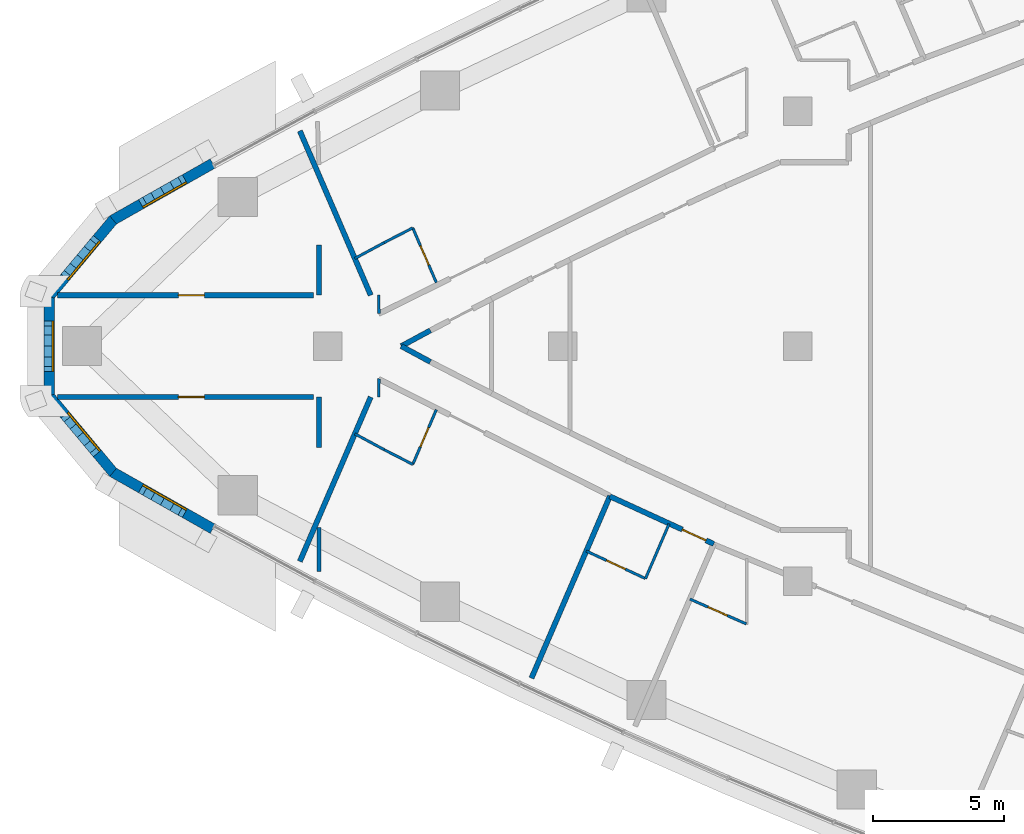
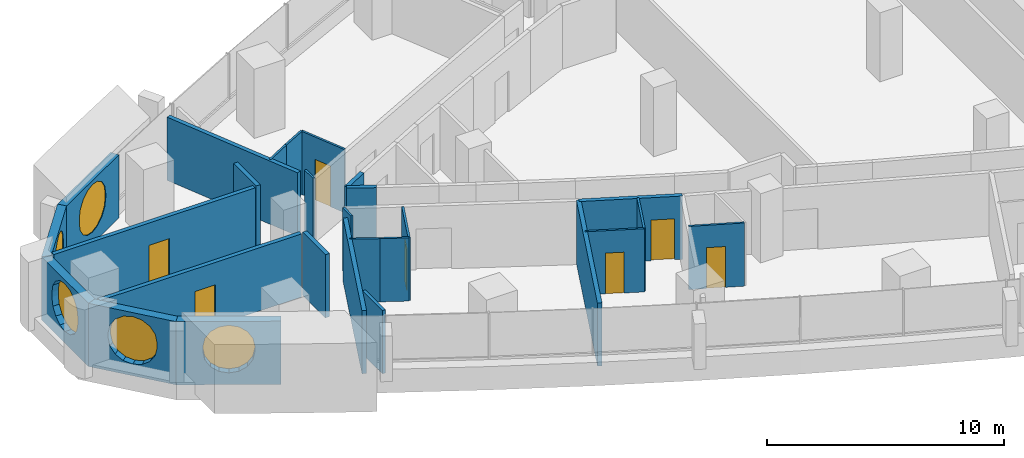
# One storey, part 8 of 17: 27 walls, 7 doors, 5 windows, 12 openings.
"""IFC4 building model written with IfcOpenShell, lengths in metres."""

from ifc_helpers import new_model, si_unit, direction, frame, frame_2d, origin, place, context, subcontext, project, spatial, polyline, rectangle, outline, extrude, material, layer, layer_set, type_object, element, fill, save


model = new_model("IFC4")

# Units and contexts
model_context = context("Model", 3, precision=1e-05, world=origin(), true_north=direction((0.0, 1.0)))
body_context = subcontext(model_context, "Body", "Model", "MODEL_VIEW")
ifc_project = project(units=[si_unit("LENGTHUNIT", "METRE"), si_unit("AREAUNIT", "SQUARE_METRE"), si_unit("VOLUMEUNIT", "CUBIC_METRE"), si_unit("PLANEANGLEUNIT", "RADIAN"), si_unit("MASSUNIT", "GRAM", prefix="KILO")], contexts=[model_context])

# Site, building, storey
site_placement = place(None, origin())
site = spatial("IfcSite", under=ifc_project, at=site_placement, CompositionType="ELEMENT")
building_placement = place(site_placement, origin())
building = spatial("IfcBuilding", under=site, at=building_placement, Name="Ostrand Prow Hotel Tower", CompositionType="ELEMENT")
storey_placement = place(building_placement, frame((0.0, 0.0, 133.75)))
storey = spatial("IfcBuildingStorey", under=building, at=storey_placement, Name="L32", CompositionType="ELEMENT", Elevation=133.75)

# Walls
ifc_material_1 = material(Name="Plasterboard partition")
ifc_layer_1 = layer(ifc_material_1, 0.10009765625)
ifc_layer_set_1 = layer_set([ifc_layer_1], Name="Plasterboard partition")
wall_type_1 = type_object("IfcWallType", Name="Partition 100 bathroom wall", PredefinedType="PARTITIONING", material=ifc_layer_set_1)
wall_1_placement = place(storey_placement, frame((17.03564453125, 3.3583984375, 0.0), z_axis=(0.0, 0.0, 1.0), x_axis=(0.879823588489, 0.475300382009, 0.0)))
element("IfcWall", 1, at=wall_1_placement, inside=storey, type_object=wall_type_1, Name="BATHROOM WALL", PredefinedType="PARTITIONING", context=body_context, shape_type="SweptSolid", body=[
    extrude(rectangle(XDim=1.27294921875, YDim=0.10009765625, at=frame_2d((0.636474609375, 0.0))), origin(), (0.0, 0.0, 1.0), 3.25),
])
wall_2_placement = place(storey_placement, frame((18.155517578125, 3.96337890625, 0.0), z_axis=(0.0, 0.0, 1.0), x_axis=(0.889106231322, 0.457700895154, 0.0)))
element("IfcWall", 2, at=wall_2_placement, inside=storey, type_object=wall_type_1, Name="BATHROOM WALL", PredefinedType="PARTITIONING", context=body_context, shape_type="SweptSolid", body=[
    extrude(rectangle(XDim=1.23486328125, YDim=0.10009765625, at=frame_2d((0.617431640625, 0.0))), origin(), (0.0, 0.0, 1.0), 3.25),
])

# Wall, opening, door
wall_3_placement = place(storey_placement, frame((19.253662109375, 4.528564453125, 0.0), z_axis=(0.0, 0.0, 1.0), x_axis=(0.395958457437, -0.9182684248, 0.0)))
wall_3 = element("IfcWall", 3, at=wall_3_placement, inside=storey, type_object=wall_type_1, Name="BATHROOM WALL", PredefinedType="PARTITIONING", context=body_context, shape_type="SweptSolid", body=[
    extrude(rectangle(XDim=2.281982421875, YDim=0.10009765625, at=frame_2d((1.14111328125, 0.0))), origin(), (0.0, 0.0, 1.0), 3.25),
])
opening_1_placement = place(wall_3_placement, frame((0.75, 0.0, 0.0)))
opening_1 = element("IfcOpeningElement", 4, at=opening_1_placement, cuts=wall_3, Name="Opening D2", PredefinedType="OPENING", context=body_context, shape_type="SweptSolid", body=[
    extrude(rectangle(XDim=0.800048828125, YDim=2.10009765625, at=frame_2d((0.39990234375, 1.050048828125))), frame((0.0, 0.06005859375, 0.0), z_axis=(0.0, -1.0, 0.0), x_axis=(1.0, 0.0, 0.0)), (0.0, 0.0, 1.0), 0.1201171875),
])
ifc_material_2 = material(Name="Timber door leaf", Category="wood")
door_type_1 = type_object("IfcDoorType", Name="Bathroom door 800", OperationType="SINGLE_SWING_LEFT", PredefinedType="DOOR", material=ifc_material_2)
door_1_placement = place(opening_1_placement, origin())
door_1 = element("IfcDoor", 5, at=door_1_placement, inside=storey, type_object=door_type_1, Name="DOOR", OperationType="SINGLE_SWING_LEFT", OverallHeight=2.10009765625, OverallWidth=0.800048828125, PredefinedType="DOOR", context=body_context, shape_type="SweptSolid", body=[
    extrude(rectangle(XDim=0.800048828125, YDim=2.10009765625, at=frame_2d((0.39990234375, 1.050048828125))), frame((0.0, 0.02490234375, 0.0), z_axis=(0.0, -1.0, 0.0), x_axis=(1.0, 0.0, 0.0)), (0.0, 0.0, 1.0), 0.050048828125),
])
fill(opening_1, door_1)

wall_4_placement = place(storey_placement, frame((20.1572265625, -2.43310546875, 0.0), z_axis=(0.0, 0.0, 1.0), x_axis=(-0.395958457437, -0.9182684248, 0.0)))
wall_4 = element("IfcWall", 6, at=wall_4_placement, inside=storey, type_object=wall_type_1, Name="BATHROOM WALL", PredefinedType="PARTITIONING", context=body_context, shape_type="SweptSolid", body=[
    extrude(rectangle(XDim=2.281982421875, YDim=0.10009765625, at=frame_2d((1.14111328125, 0.0))), origin(), (0.0, 0.0, 1.0), 3.25),
])
opening_2_placement = place(wall_4_placement, frame((0.75, 0.0, 0.0)))
opening_2 = element("IfcOpeningElement", 7, at=opening_2_placement, cuts=wall_4, Name="Opening D2", PredefinedType="OPENING", context=body_context, shape_type="SweptSolid", body=[
    extrude(rectangle(XDim=0.800048828125, YDim=2.10009765625, at=frame_2d((0.39990234375, 1.050048828125))), frame((0.0, 0.06005859375, 0.0), z_axis=(0.0, -1.0, 0.0), x_axis=(1.0, 0.0, 0.0)), (0.0, 0.0, 1.0), 0.1201171875),
])
door_2_placement = place(opening_2_placement, origin())
door_2 = element("IfcDoor", 8, at=door_2_placement, inside=storey, type_object=door_type_1, Name="DOOR", OperationType="SINGLE_SWING_LEFT", OverallHeight=2.10009765625, OverallWidth=0.800048828125, PredefinedType="DOOR", context=body_context, shape_type="SweptSolid", body=[
    extrude(rectangle(XDim=0.800048828125, YDim=2.10009765625, at=frame_2d((0.39990234375, 1.050048828125))), frame((0.0, 0.02490234375, 0.0), z_axis=(0.0, -1.0, 0.0), x_axis=(1.0, 0.0, 0.0)), (0.0, 0.0, 1.0), 0.050048828125),
])
fill(opening_2, door_2)

# Walls
wall_5_placement = place(storey_placement, frame((19.25341796875, -4.528564453125, 0.0), z_axis=(0.0, 0.0, 1.0), x_axis=(-0.889106231322, 0.457700895154, 0.0)))
element("IfcWall", 9, at=wall_5_placement, inside=storey, type_object=wall_type_1, Name="BATHROOM WALL", PredefinedType="PARTITIONING", context=body_context, shape_type="SweptSolid", body=[
    extrude(rectangle(XDim=1.23486328125, YDim=0.10009765625, at=frame_2d((0.617431640625, 0.0))), origin(), (0.0, 0.0, 1.0), 3.25),
])
wall_6_placement = place(storey_placement, frame((18.155517578125, -3.96337890625, 0.0), z_axis=(0.0, 0.0, 1.0), x_axis=(-0.879823588489, 0.475300382009, 0.0)))
element("IfcWall", 10, at=wall_6_placement, inside=storey, type_object=wall_type_1, Name="BATHROOM WALL", PredefinedType="PARTITIONING", context=body_context, shape_type="SweptSolid", body=[
    extrude(rectangle(XDim=1.27294921875, YDim=0.10009765625, at=frame_2d((0.636474609375, 0.0))), origin(), (0.0, 0.0, 1.0), 3.25),
])
wall_7_placement = place(storey_placement, frame((29.070068359375, -6.809814453125, 0.0), z_axis=(0.0, 0.0, 1.0), x_axis=(-0.396000751487, -0.918250186399, 0.0)))
element("IfcWall", 11, at=wall_7_placement, inside=storey, type_object=wall_type_1, Name="BATHROOM WALL", PredefinedType="PARTITIONING", context=body_context, shape_type="SweptSolid", body=[
    extrude(rectangle(XDim=2.278076171875, YDim=0.10009765625, at=frame_2d((1.13916015625, 0.0))), origin(), (0.0, 0.0, 1.0), 3.25),
])

# Wall, opening, door
wall_8_placement = place(storey_placement, frame((28.16796875, -8.901611328125, 0.0), z_axis=(0.0, 0.0, 1.0), x_axis=(-0.906813113059, 0.421532890751, 0.0)))
wall_8 = element("IfcWall", 12, at=wall_8_placement, inside=storey, type_object=wall_type_1, Name="BATHROOM WALL", PredefinedType="PARTITIONING", context=body_context, shape_type="SweptSolid", body=[
    extrude(rectangle(XDim=2.5009765625, YDim=0.10009765625, at=frame_2d((1.25048828125, 0.0))), origin(), (0.0, 0.0, 1.0), 3.25),
])
opening_3_placement = place(wall_8_placement, frame((0.85009765625, 0.0, 0.0)))
opening_3 = element("IfcOpeningElement", 13, at=opening_3_placement, cuts=wall_8, Name="Opening D2", PredefinedType="OPENING", context=body_context, shape_type="SweptSolid", body=[
    extrude(rectangle(XDim=0.800048828125, YDim=2.10009765625, at=frame_2d((0.39990234375, 1.050048828125))), frame((0.0, 0.06005859375, 0.0), z_axis=(0.0, -1.0, 0.0), x_axis=(1.0, 0.0, 0.0)), (0.0, 0.0, 1.0), 0.1201171875),
])
door_3_placement = place(opening_3_placement, origin())
door_3 = element("IfcDoor", 14, at=door_3_placement, inside=storey, type_object=door_type_1, Name="DOOR", OperationType="SINGLE_SWING_LEFT", OverallHeight=2.10009765625, OverallWidth=0.800048828125, PredefinedType="DOOR", context=body_context, shape_type="SweptSolid", body=[
    extrude(rectangle(XDim=0.800048828125, YDim=2.10009765625, at=frame_2d((0.39990234375, 1.050048828125))), frame((0.0, 0.02490234375, 0.0), z_axis=(0.0, -1.0, 0.0), x_axis=(1.0, 0.0, 0.0)), (0.0, 0.0, 1.0), 0.050048828125),
])
fill(opening_3, door_3)

wall_9_placement = place(storey_placement, frame((32.02783203125, -10.638427734375, 0.0), z_axis=(0.0, 0.0, 1.0), x_axis=(-0.915108845766, 0.403206895278, 0.0)))
wall_9 = element("IfcWall", 15, at=wall_9_placement, inside=storey, type_object=wall_type_1, Name="BATHROOM WALL", PredefinedType="PARTITIONING", context=body_context, shape_type="SweptSolid", body=[
    extrude(rectangle(XDim=2.3583984375, YDim=0.10009765625, at=frame_2d((1.17919921875, 0.0))), origin(), (0.0, 0.0, 1.0), 3.25),
])
opening_4_placement = place(wall_9_placement, frame((0.800048828125, 0.0, 0.0)))
opening_4 = element("IfcOpeningElement", 16, at=opening_4_placement, cuts=wall_9, Name="Opening D2", PredefinedType="OPENING", context=body_context, shape_type="SweptSolid", body=[
    extrude(rectangle(XDim=0.800048828125, YDim=2.10009765625, at=frame_2d((0.39990234375, 1.050048828125))), frame((0.0, 0.06005859375, 0.0), z_axis=(0.0, -1.0, 0.0), x_axis=(1.0, 0.0, 0.0)), (0.0, 0.0, 1.0), 0.1201171875),
])
door_4_placement = place(opening_4_placement, origin())
door_4 = element("IfcDoor", 17, at=door_4_placement, inside=storey, type_object=door_type_1, Name="DOOR", OperationType="SINGLE_SWING_LEFT", OverallHeight=2.10009765625, OverallWidth=0.800048828125, PredefinedType="DOOR", context=body_context, shape_type="SweptSolid", body=[
    extrude(rectangle(XDim=0.800048828125, YDim=2.10009765625, at=frame_2d((0.39990234375, 1.050048828125))), frame((0.0, 0.02490234375, 0.0), z_axis=(0.0, -1.0, 0.0), x_axis=(1.0, 0.0, 0.0)), (0.0, 0.0, 1.0), 0.050048828125),
])
fill(opening_4, door_4)

# Walls
for number, where, z_axis, x_axis, name in (
    (18, (17.959716796875, 1.248779296875, 0.0), (0.0, 0.0, 1.0), (-0.007291472831, 0.999973416859, 0.0), "BATHROOM WALL"),
    (19, (17.95458984375, -1.951904296875, 0.0), (0.0, 0.0, 1.0), (0.007291472831, 0.999973416859, 0.0), "BATHROOM WALL"),
):
    element("IfcWall", number, at=place(storey_placement, frame(where, z_axis=z_axis, x_axis=x_axis)), inside=storey, type_object=wall_type_1, Name=name, PredefinedType="PARTITIONING", context=body_context, shape_type="SweptSolid", body=[
        extrude(rectangle(XDim=0.703125, YDim=0.10009765625, at=frame_2d((0.3515625, 0.0))), origin(), (0.0, 0.0, 1.0), 3.25),
    ])
ifc_material_3 = material(Name="Plasterboard partition")
ifc_layer_2 = layer(ifc_material_3, 0.14990234375)
ifc_layer_set_2 = layer_set([ifc_layer_2], Name="Plasterboard partition")
wall_type_2 = type_object("IfcWallType", Name="Partition 150 room partition", PredefinedType="PARTITIONING", material=ifc_layer_set_2)
wall_10_placement = place(storey_placement, frame((15.65869140625, -6.955078125, 0.0), z_axis=(0.0, 0.0, 1.0), x_axis=(0.0, -1.0, 0.0)))
element("IfcWall", 20, at=wall_10_placement, inside=storey, type_object=wall_type_2, Name="ROOM PARTITION", PredefinedType="PARTITIONING", context=body_context, shape_type="SweptSolid", body=[
    extrude(rectangle(XDim=1.68359375, YDim=0.14990234375, at=frame_2d((0.841796875, 0.0))), origin(), (0.0, 0.0, 1.0), 3.25),
])

# Wall, opening, door
ifc_material_4 = material(Name="Plasterboard partition")
ifc_layer_3 = layer(ifc_material_4, 0.199951171875)
ifc_layer_set_3 = layer_set([ifc_layer_3], Name="Plasterboard partition")
wall_type_3 = type_object("IfcWallType", Name="Partition 200 corridor wall", PredefinedType="PARTITIONING", material=ifc_layer_set_3)
wall_11_placement = place(storey_placement, frame((5.654296875, 1.949951171875, 0.0), z_axis=(0.0, 0.0, 1.0), x_axis=(1.0, 0.0, 0.0)))
wall_11 = element("IfcWall", 21, at=wall_11_placement, inside=storey, type_object=wall_type_3, Name="CORRIDOR WALL", PredefinedType="PARTITIONING", context=body_context, shape_type="SweptSolid", body=[
    extrude(rectangle(XDim=9.804443359375, YDim=0.199951171875, at=frame_2d((4.90234375, 0.0))), origin(), (0.0, 0.0, 1.0), 3.25),
])
opening_5_placement = place(wall_11_placement, frame((4.618408203125, 0.0, 0.0)))
opening_5 = element("IfcOpeningElement", 22, at=opening_5_placement, cuts=wall_11, Name="Opening D1", PredefinedType="OPENING", context=body_context, shape_type="SweptSolid", body=[
    extrude(rectangle(XDim=1.0, YDim=2.10009765625, at=frame_2d((0.5, 1.050048828125))), frame((0.0, 0.10986328125, 0.0), z_axis=(0.0, -1.0, 0.0), x_axis=(1.0, 0.0, 0.0)), (0.0, 0.0, 1.0), 0.219970703125),
])
ifc_material_5 = material(Name="Timber door leaf", Category="wood")
door_type_2 = type_object("IfcDoorType", Name="Guest room door 1000", OperationType="SINGLE_SWING_LEFT", PredefinedType="DOOR", material=ifc_material_5)
door_5_placement = place(opening_5_placement, origin())
door_5 = element("IfcDoor", 23, at=door_5_placement, inside=storey, type_object=door_type_2, Name="DOOR", OperationType="SINGLE_SWING_LEFT", OverallHeight=2.10009765625, OverallWidth=1.0, PredefinedType="DOOR", context=body_context, shape_type="SweptSolid", body=[
    extrude(rectangle(XDim=1.0, YDim=2.10009765625, at=frame_2d((0.5, 1.050048828125))), frame((0.0, 0.02490234375, 0.0), z_axis=(0.0, -1.0, 0.0), x_axis=(1.0, 0.0, 0.0)), (0.0, 0.0, 1.0), 0.050048828125),
])
fill(opening_5, door_5)

wall_12_placement = place(storey_placement, frame((5.654296875, -1.949951171875, 0.0), z_axis=(0.0, 0.0, 1.0), x_axis=(1.0, 0.0, 0.0)))
wall_12 = element("IfcWall", 24, at=wall_12_placement, inside=storey, type_object=wall_type_3, Name="CORRIDOR WALL", PredefinedType="PARTITIONING", context=body_context, shape_type="SweptSolid", body=[
    extrude(rectangle(XDim=9.804443359375, YDim=0.199951171875, at=frame_2d((4.90234375, 0.0))), origin(), (0.0, 0.0, 1.0), 3.25),
])
opening_6_placement = place(wall_12_placement, frame((4.618408203125, 0.0, 0.0)))
opening_6 = element("IfcOpeningElement", 25, at=opening_6_placement, cuts=wall_12, Name="Opening D1R", PredefinedType="OPENING", context=body_context, shape_type="SweptSolid", body=[
    extrude(rectangle(XDim=1.0, YDim=2.10009765625, at=frame_2d((0.5, 1.050048828125))), frame((0.0, 0.10986328125, 0.0), z_axis=(0.0, -1.0, 0.0), x_axis=(1.0, 0.0, 0.0)), (0.0, 0.0, 1.0), 0.219970703125),
])
ifc_material_6 = material(Name="Timber door leaf", Category="wood")
door_type_3 = type_object("IfcDoorType", Name="Guest room door 1000 right", OperationType="SINGLE_SWING_RIGHT", PredefinedType="DOOR", material=ifc_material_6)
door_6_placement = place(opening_6_placement, origin())
door_6 = element("IfcDoor", 26, at=door_6_placement, inside=storey, type_object=door_type_3, Name="DOOR", OperationType="SINGLE_SWING_RIGHT", OverallHeight=2.10009765625, OverallWidth=1.0, PredefinedType="DOOR", context=body_context, shape_type="SweptSolid", body=[
    extrude(rectangle(XDim=1.0, YDim=2.10009765625, at=frame_2d((0.5, 1.050048828125))), frame((0.0, 0.02490234375, 0.0), z_axis=(0.0, -1.0, 0.0), x_axis=(1.0, 0.0, 0.0)), (0.0, 0.0, 1.0), 0.050048828125),
])
fill(opening_6, door_6)

wall_13_placement = place(storey_placement, frame((26.80322265625, -5.7529296875, 0.0), z_axis=(0.0, 0.0, 1.0), x_axis=(0.90910092787, -0.416575926987, 0.0)))
wall_13 = element("IfcWall", 27, at=wall_13_placement, inside=storey, type_object=wall_type_3, Name="CORRIDOR WALL", PredefinedType="PARTITIONING", context=body_context, shape_type="SweptSolid", body=[
    extrude(rectangle(XDim=4.375, YDim=0.199951171875, at=frame_2d((2.1875, 0.0))), origin(), (0.0, 0.0, 1.0), 3.25),
])
opening_7_placement = place(wall_13_placement, frame((3.050048828125, 0.0, 0.0)))
opening_7 = element("IfcOpeningElement", 28, at=opening_7_placement, cuts=wall_13, Name="Opening D1R", PredefinedType="OPENING", context=body_context, shape_type="SweptSolid", body=[
    extrude(rectangle(XDim=1.0, YDim=2.10009765625, at=frame_2d((0.5, 1.050048828125))), frame((0.0, 0.10986328125, 0.0), z_axis=(0.0, -1.0, 0.0), x_axis=(1.0, 0.0, 0.0)), (0.0, 0.0, 1.0), 0.219970703125),
])
door_7_placement = place(opening_7_placement, origin())
door_7 = element("IfcDoor", 29, at=door_7_placement, inside=storey, type_object=door_type_3, Name="DOOR", OperationType="SINGLE_SWING_RIGHT", OverallHeight=2.10009765625, OverallWidth=1.0, PredefinedType="DOOR", context=body_context, shape_type="SweptSolid", body=[
    extrude(rectangle(XDim=1.0, YDim=2.10009765625, at=frame_2d((0.5, 1.050048828125))), frame((0.0, 0.02490234375, 0.0), z_axis=(0.0, -1.0, 0.0), x_axis=(1.0, 0.0, 0.0)), (0.0, 0.0, 1.0), 0.050048828125),
])
fill(opening_7, door_7)

# Walls
for number, where, z_axis, x_axis, name in (
    (30, (19.928466796875, -0.60205078125, 0.0), (0.0, 0.0, 1.0), (-0.879832865766, 0.475283208538, 0.0), "CORRIDOR WALL"),
    (31, (18.81396484375, 0.0, 0.0), (0.0, 0.0, 1.0), (0.879832865766, 0.475283208538, 0.0), "CORRIDOR WALL"),
):
    element("IfcWall", number, at=place(storey_placement, frame(where, z_axis=z_axis, x_axis=x_axis)), inside=storey, type_object=wall_type_3, Name=name, PredefinedType="PARTITIONING", context=body_context, shape_type="SweptSolid", body=[
        extrude(rectangle(XDim=1.2666015625, YDim=0.199951171875, at=frame_2d((0.63330078125, 0.0))), origin(), (0.0, 0.0, 1.0), 3.25),
    ])
wall_14_placement = place(storey_placement, frame((15.65869140625, 3.869384765625, 0.0), z_axis=(0.0, 0.0, 1.0), x_axis=(0.0, -1.0, 0.0)))
element("IfcWall", 32, at=wall_14_placement, inside=storey, type_object=wall_type_3, Name="CORRIDOR WALL", PredefinedType="PARTITIONING", context=body_context, shape_type="SweptSolid", body=[
    extrude(rectangle(XDim=1.914306640625, YDim=0.199951171875, at=frame_2d((0.95703125, 0.0))), origin(), (0.0, 0.0, 1.0), 3.25),
])
wall_15_placement = place(storey_placement, frame((15.65869140625, -1.955078125, 0.0), z_axis=(0.0, 0.0, 1.0), x_axis=(0.0, -1.0, 0.0)))
element("IfcWall", 33, at=wall_15_placement, inside=storey, type_object=wall_type_3, Name="CORRIDOR WALL", PredefinedType="PARTITIONING", context=body_context, shape_type="SweptSolid", body=[
    extrude(rectangle(XDim=1.921630859375, YDim=0.199951171875, at=frame_2d((0.9609375, 0.0))), origin(), (0.0, 0.0, 1.0), 3.25),
])
ifc_material_7 = material(Name="Plasterboard partition")
ifc_layer_4 = layer(ifc_material_7, 0.199951171875)
ifc_layer_set_4 = layer_set([ifc_layer_4], Name="Plasterboard partition")
wall_type_4 = type_object("IfcWallType", Name="Partition 200 key partition", PredefinedType="PARTITIONING", material=ifc_layer_set_4)
for number, where, z_axis, x_axis, name in (
    (34, (17.64306640625, 1.949951171875, 0.0), (0.0, 0.0, 1.0), (-0.395994543879, 0.918252863441, 0.0), "KEY PARTITION"),
    (35, (14.9287109375, -8.244140625, 0.0), (0.0, 0.0, 1.0), (0.395994543879, 0.918252863441, 0.0), "KEY PARTITION"),
):
    element("IfcWall", number, at=place(storey_placement, frame(where, z_axis=z_axis, x_axis=x_axis)), inside=storey, type_object=wall_type_4, Name=name, PredefinedType="PARTITIONING", context=body_context, shape_type="SweptSolid", body=[
        extrude(rectangle(XDim=6.8544921875, YDim=0.199951171875, at=frame_2d((3.42724609375, 0.0))), origin(), (0.0, 0.0, 1.0), 3.25),
    ])
wall_16_placement = place(storey_placement, frame((23.800537109375, -12.716064453125, 0.0), z_axis=(0.0, 0.0, 1.0), x_axis=(0.395995556294, 0.918252426839, 0.0)))
element("IfcWall", 36, at=wall_16_placement, inside=storey, type_object=wall_type_4, Name="KEY PARTITION", PredefinedType="PARTITIONING", context=body_context, shape_type="SweptSolid", body=[
    extrude(rectangle(XDim=7.60302734375, YDim=0.199951171875, at=frame_2d((3.801513671875, 0.0))), origin(), (0.0, 0.0, 1.0), 3.25),
])

# Wall, opening, window
ifc_material_8 = material(Name="Precast concrete C40/50", Category="concrete")
ifc_layer_5 = layer(ifc_material_8, 0.39990234375)
ifc_layer_set_5 = layer_set([ifc_layer_5], Name="Precast concrete C40/50")
wall_type_5 = type_object("IfcWallType", Name="Stone-faced precast wall 400 mm", PredefinedType="NOTDEFINED", material=ifc_layer_set_5)
wall_17_placement = place(storey_placement, frame((11.594482421875, 6.996826171875, 0.0), z_axis=(0.0, 0.0, 1.0), x_axis=(-0.870045255208, -0.492971859125, 0.0)))
wall_17 = element("IfcWall", 37, at=wall_17_placement, inside=storey, type_object=wall_type_5, Name="Stone-faced wall prow 1", PredefinedType="NOTDEFINED", context=body_context, shape_type="SweptSolid", body=[
    extrude(outline(polyline([(0.0, -0.199951171875), (4.424072265625, -0.199951171875), (4.351806640625, 0.199951171875), (0.0, 0.199951171875), (0.0, -0.199951171875)])), origin(), (0.0, 0.0, 1.0), 3.25),
])
opening_8_placement = place(wall_17_placement, frame((1.093994140625, 0.0, 0.60009765625)))
opening_8 = element("IfcOpeningElement", 38, at=opening_8_placement, cuts=wall_17, Name="Opening WP1", PredefinedType="OPENING", context=body_context, shape_type="SweptSolid", body=[
    extrude(outline(polyline([(0.0, 1.35009765625), (0.083740234375, 1.77099609375), (0.322265625, 2.127685546875), (0.678955078125, 2.3662109375), (1.10009765625, 2.449951171875), (1.52099609375, 2.3662109375), (1.877685546875, 2.127685546875), (2.1162109375, 1.77099609375), (2.199951171875, 1.35009765625), (2.199951171875, 1.10009765625), (2.1162109375, 0.678955078125), (1.877685546875, 0.322265625), (1.52099609375, 0.083740234375), (1.10009765625, 0.0), (0.678955078125, 0.083740234375), (0.322265625, 0.322265625), (0.083740234375, 0.678955078125), (0.0, 1.099853515625), (0.0, 1.35009765625)])), frame((0.0, 0.2099609375, 0.0), z_axis=(0.0, -1.0, 0.0), x_axis=(1.0, 0.0, 0.0)), (0.0, 0.0, 1.0), 0.419921875),
])
ifc_material_9 = material(Name="Insulated glass in bronze frame", Category="glass")
window_type = type_object("IfcWindowType", Name="Round-ended prow window 2200x2450", PartitioningType="SINGLE_PANEL", PredefinedType="WINDOW", material=ifc_material_9)
window_1_placement = place(opening_8_placement, origin())
window_1 = element("IfcWindow", 39, at=window_1_placement, inside=storey, type_object=window_type, Name="Window prow 1.1", OverallHeight=2.449951171875, OverallWidth=2.199951171875, PartitioningType="SINGLE_PANEL", PredefinedType="WINDOW", context=body_context, shape_type="SweptSolid", body=[
    extrude(outline(polyline([(0.0, 1.35009765625), (0.083740234375, 1.77099609375), (0.322265625, 2.127685546875), (0.678955078125, 2.3662109375), (1.10009765625, 2.449951171875), (1.52099609375, 2.3662109375), (1.877685546875, 2.127685546875), (2.1162109375, 1.77099609375), (2.199951171875, 1.35009765625), (2.199951171875, 1.10009765625), (2.1162109375, 0.678955078125), (1.877685546875, 0.322265625), (1.52099609375, 0.083740234375), (1.10009765625, 0.0), (0.678955078125, 0.083740234375), (0.322265625, 0.322265625), (0.083740234375, 0.678955078125), (0.0, 1.099853515625), (0.0, 1.35009765625)])), frame((0.0, 0.169921875, 0.0), z_axis=(0.0, -1.0, 0.0), x_axis=(1.0, 0.0, 0.0)), (0.0, 0.0, 1.0), 0.06005859375),
])
fill(opening_8, window_1)

wall_18_placement = place(storey_placement, frame((7.77685546875, 4.833740234375, 0.0), z_axis=(0.0, 0.0, 1.0), x_axis=(-0.641787918235, -0.766882173484, 0.0)))
wall_18 = element("IfcWall", 40, at=wall_18_placement, inside=storey, type_object=wall_type_5, Name="Stone-faced wall prow 2", PredefinedType="NOTDEFINED", context=body_context, shape_type="SweptSolid", body=[
    extrude(outline(polyline([(-0.0361328125, -0.199951171875), (3.887939453125, -0.199951171875), (3.742919921875, 0.199951171875), (0.0361328125, 0.199951171875), (-0.0361328125, -0.199951171875)])), origin(), (0.0, 0.0, 1.0), 3.25),
])
opening_9_placement = place(wall_18_placement, frame((0.8076171875, 0.0, 0.60009765625)))
opening_9 = element("IfcOpeningElement", 41, at=opening_9_placement, cuts=wall_18, Name="Opening WP1", PredefinedType="OPENING", context=body_context, shape_type="SweptSolid", body=[
    extrude(outline(polyline([(0.0, 1.35009765625), (0.083740234375, 1.77099609375), (0.322265625, 2.127685546875), (0.678955078125, 2.3662109375), (1.10009765625, 2.449951171875), (1.52099609375, 2.3662109375), (1.877685546875, 2.127685546875), (2.1162109375, 1.77099609375), (2.199951171875, 1.35009765625), (2.199951171875, 1.10009765625), (2.1162109375, 0.678955078125), (1.877685546875, 0.322265625), (1.52099609375, 0.083740234375), (1.10009765625, 0.0), (0.678955078125, 0.083740234375), (0.322265625, 0.322265625), (0.083740234375, 0.678955078125), (0.0, 1.099853515625), (0.0, 1.35009765625)])), frame((0.0, 0.2099609375, 0.0), z_axis=(0.0, -1.0, 0.0), x_axis=(1.0, 0.0, 0.0)), (0.0, 0.0, 1.0), 0.419921875),
])
window_2_placement = place(opening_9_placement, origin())
window_2 = element("IfcWindow", 42, at=window_2_placement, inside=storey, type_object=window_type, Name="Window prow 2.1", OverallHeight=2.449951171875, OverallWidth=2.199951171875, PartitioningType="SINGLE_PANEL", PredefinedType="WINDOW", context=body_context, shape_type="SweptSolid", body=[
    extrude(outline(polyline([(0.0, 1.35009765625), (0.083740234375, 1.77099609375), (0.322265625, 2.127685546875), (0.678955078125, 2.3662109375), (1.10009765625, 2.449951171875), (1.52099609375, 2.3662109375), (1.877685546875, 2.127685546875), (2.1162109375, 1.77099609375), (2.199951171875, 1.35009765625), (2.199951171875, 1.10009765625), (2.1162109375, 0.678955078125), (1.877685546875, 0.322265625), (1.52099609375, 0.083740234375), (1.10009765625, 0.0), (0.678955078125, 0.083740234375), (0.322265625, 0.322265625), (0.083740234375, 0.678955078125), (0.0, 1.099853515625), (0.0, 1.35009765625)])), frame((0.0, 0.169921875, 0.0), z_axis=(0.0, -1.0, 0.0), x_axis=(1.0, 0.0, 0.0)), (0.0, 0.0, 1.0), 0.06005859375),
])
fill(opening_9, window_2)

wall_19_placement = place(storey_placement, frame((5.328125, 1.90771484375, 0.0), z_axis=(0.0, 0.0, 1.0), x_axis=(0.0, -1.0, 0.0)))
wall_19 = element("IfcWall", 43, at=wall_19_placement, inside=storey, type_object=wall_type_5, Name="Stone-faced wall prow 3", PredefinedType="NOTDEFINED", context=body_context, shape_type="SweptSolid", body=[
    extrude(outline(polyline([(-0.072509765625, -0.199951171875), (3.887939453125, -0.199951171875), (3.742919921875, 0.199951171875), (0.072509765625, 0.199951171875), (-0.072509765625, -0.199951171875)])), origin(), (0.0, 0.0, 1.0), 3.25),
])
opening_10_placement = place(wall_19_placement, frame((0.8076171875, 0.0, 0.60009765625)))
opening_10 = element("IfcOpeningElement", 44, at=opening_10_placement, cuts=wall_19, Name="Opening WP1", PredefinedType="OPENING", context=body_context, shape_type="SweptSolid", body=[
    extrude(outline(polyline([(0.0, 1.35009765625), (0.083740234375, 1.77099609375), (0.322265625, 2.127685546875), (0.678955078125, 2.3662109375), (1.10009765625, 2.449951171875), (1.52099609375, 2.3662109375), (1.877685546875, 2.127685546875), (2.1162109375, 1.77099609375), (2.199951171875, 1.35009765625), (2.199951171875, 1.10009765625), (2.1162109375, 0.678955078125), (1.877685546875, 0.322265625), (1.52099609375, 0.083740234375), (1.10009765625, 0.0), (0.678955078125, 0.083740234375), (0.322265625, 0.322265625), (0.083740234375, 0.678955078125), (0.0, 1.099853515625), (0.0, 1.35009765625)])), frame((0.0, 0.2099609375, 0.0), z_axis=(0.0, -1.0, 0.0), x_axis=(1.0, 0.0, 0.0)), (0.0, 0.0, 1.0), 0.419921875),
])
window_3_placement = place(opening_10_placement, origin())
window_3 = element("IfcWindow", 45, at=window_3_placement, inside=storey, type_object=window_type, Name="Window prow 3.1", OverallHeight=2.449951171875, OverallWidth=2.199951171875, PartitioningType="SINGLE_PANEL", PredefinedType="WINDOW", context=body_context, shape_type="SweptSolid", body=[
    extrude(outline(polyline([(0.0, 1.35009765625), (0.083740234375, 1.77099609375), (0.322265625, 2.127685546875), (0.678955078125, 2.3662109375), (1.10009765625, 2.449951171875), (1.52099609375, 2.3662109375), (1.877685546875, 2.127685546875), (2.1162109375, 1.77099609375), (2.199951171875, 1.35009765625), (2.199951171875, 1.10009765625), (2.1162109375, 0.678955078125), (1.877685546875, 0.322265625), (1.52099609375, 0.083740234375), (1.10009765625, 0.0), (0.678955078125, 0.083740234375), (0.322265625, 0.322265625), (0.083740234375, 0.678955078125), (0.0, 1.099853515625), (0.0, 1.35009765625)])), frame((0.0, 0.169921875, 0.0), z_axis=(0.0, -1.0, 0.0), x_axis=(1.0, 0.0, 0.0)), (0.0, 0.0, 1.0), 0.06005859375),
])
fill(opening_10, window_3)

wall_20_placement = place(storey_placement, frame((5.328125, -1.90771484375, 0.0), z_axis=(0.0, 0.0, 1.0), x_axis=(0.641787918235, -0.766882173484, 0.0)))
wall_20 = element("IfcWall", 46, at=wall_20_placement, inside=storey, type_object=wall_type_5, Name="Stone-faced wall prow 4", PredefinedType="NOTDEFINED", context=body_context, shape_type="SweptSolid", body=[
    extrude(outline(polyline([(-0.072509765625, -0.199951171875), (3.8515625, -0.199951171875), (3.779296875, 0.199951171875), (0.072509765625, 0.199951171875), (-0.072509765625, -0.199951171875)])), origin(), (0.0, 0.0, 1.0), 3.25),
])
opening_11_placement = place(wall_20_placement, frame((0.8076171875, 0.0, 0.60009765625)))
opening_11 = element("IfcOpeningElement", 47, at=opening_11_placement, cuts=wall_20, Name="Opening WP1", PredefinedType="OPENING", context=body_context, shape_type="SweptSolid", body=[
    extrude(outline(polyline([(0.0, 1.35009765625), (0.083740234375, 1.77099609375), (0.322265625, 2.127685546875), (0.678955078125, 2.3662109375), (1.10009765625, 2.449951171875), (1.52099609375, 2.3662109375), (1.877685546875, 2.127685546875), (2.1162109375, 1.77099609375), (2.199951171875, 1.35009765625), (2.199951171875, 1.10009765625), (2.1162109375, 0.678955078125), (1.877685546875, 0.322265625), (1.52099609375, 0.083740234375), (1.10009765625, 0.0), (0.678955078125, 0.083740234375), (0.322265625, 0.322265625), (0.083740234375, 0.678955078125), (0.0, 1.099853515625), (0.0, 1.35009765625)])), frame((0.0, 0.2099609375, 0.0), z_axis=(0.0, -1.0, 0.0), x_axis=(1.0, 0.0, 0.0)), (0.0, 0.0, 1.0), 0.419921875),
])
window_4_placement = place(opening_11_placement, origin())
window_4 = element("IfcWindow", 48, at=window_4_placement, inside=storey, type_object=window_type, Name="Window prow 4.1", OverallHeight=2.449951171875, OverallWidth=2.199951171875, PartitioningType="SINGLE_PANEL", PredefinedType="WINDOW", context=body_context, shape_type="SweptSolid", body=[
    extrude(outline(polyline([(0.0, 1.35009765625), (0.083740234375, 1.77099609375), (0.322265625, 2.127685546875), (0.678955078125, 2.3662109375), (1.10009765625, 2.449951171875), (1.52099609375, 2.3662109375), (1.877685546875, 2.127685546875), (2.1162109375, 1.77099609375), (2.199951171875, 1.35009765625), (2.199951171875, 1.10009765625), (2.1162109375, 0.678955078125), (1.877685546875, 0.322265625), (1.52099609375, 0.083740234375), (1.10009765625, 0.0), (0.678955078125, 0.083740234375), (0.322265625, 0.322265625), (0.083740234375, 0.678955078125), (0.0, 1.099853515625), (0.0, 1.35009765625)])), frame((0.0, 0.169921875, 0.0), z_axis=(0.0, -1.0, 0.0), x_axis=(1.0, 0.0, 0.0)), (0.0, 0.0, 1.0), 0.06005859375),
])
fill(opening_11, window_4)

wall_21_placement = place(storey_placement, frame((7.77685546875, -4.833740234375, 0.0), z_axis=(0.0, 0.0, 1.0), x_axis=(0.870045255208, -0.492971859125, 0.0)))
wall_21 = element("IfcWall", 49, at=wall_21_placement, inside=storey, type_object=wall_type_5, Name="Stone-faced wall prow 5", PredefinedType="NOTDEFINED", context=body_context, shape_type="SweptSolid", body=[
    extrude(outline(polyline([(-0.0361328125, -0.199951171875), (4.387939453125, -0.199951171875), (4.387939453125, 0.199951171875), (0.0361328125, 0.199951171875), (-0.0361328125, -0.199951171875)])), origin(), (0.0, 0.0, 1.0), 3.25),
])
opening_12_placement = place(wall_21_placement, frame((1.093994140625, 0.0, 0.60009765625)))
opening_12 = element("IfcOpeningElement", 50, at=opening_12_placement, cuts=wall_21, Name="Opening WP1", PredefinedType="OPENING", context=body_context, shape_type="SweptSolid", body=[
    extrude(outline(polyline([(0.0, 1.35009765625), (0.083740234375, 1.77099609375), (0.322265625, 2.127685546875), (0.678955078125, 2.3662109375), (1.10009765625, 2.449951171875), (1.52099609375, 2.3662109375), (1.877685546875, 2.127685546875), (2.1162109375, 1.77099609375), (2.199951171875, 1.35009765625), (2.199951171875, 1.10009765625), (2.1162109375, 0.678955078125), (1.877685546875, 0.322265625), (1.52099609375, 0.083740234375), (1.10009765625, 0.0), (0.678955078125, 0.083740234375), (0.322265625, 0.322265625), (0.083740234375, 0.678955078125), (0.0, 1.099853515625), (0.0, 1.35009765625)])), frame((0.0, 0.2099609375, 0.0), z_axis=(0.0, -1.0, 0.0), x_axis=(1.0, 0.0, 0.0)), (0.0, 0.0, 1.0), 0.419921875),
])
window_5_placement = place(opening_12_placement, origin())
window_5 = element("IfcWindow", 51, at=window_5_placement, inside=storey, type_object=window_type, Name="Window prow 5.1", OverallHeight=2.449951171875, OverallWidth=2.199951171875, PartitioningType="SINGLE_PANEL", PredefinedType="WINDOW", context=body_context, shape_type="SweptSolid", body=[
    extrude(outline(polyline([(0.0, 1.35009765625), (0.083740234375, 1.77099609375), (0.322265625, 2.127685546875), (0.678955078125, 2.3662109375), (1.10009765625, 2.449951171875), (1.52099609375, 2.3662109375), (1.877685546875, 2.127685546875), (2.1162109375, 1.77099609375), (2.199951171875, 1.35009765625), (2.199951171875, 1.10009765625), (2.1162109375, 0.678955078125), (1.877685546875, 0.322265625), (1.52099609375, 0.083740234375), (1.10009765625, 0.0), (0.678955078125, 0.083740234375), (0.322265625, 0.322265625), (0.083740234375, 0.678955078125), (0.0, 1.099853515625), (0.0, 1.35009765625)])), frame((0.0, 0.169921875, 0.0), z_axis=(0.0, -1.0, 0.0), x_axis=(1.0, 0.0, 0.0)), (0.0, 0.0, 1.0), 0.06005859375),
])
fill(opening_12, window_5)

save(model, "model.ifc")
